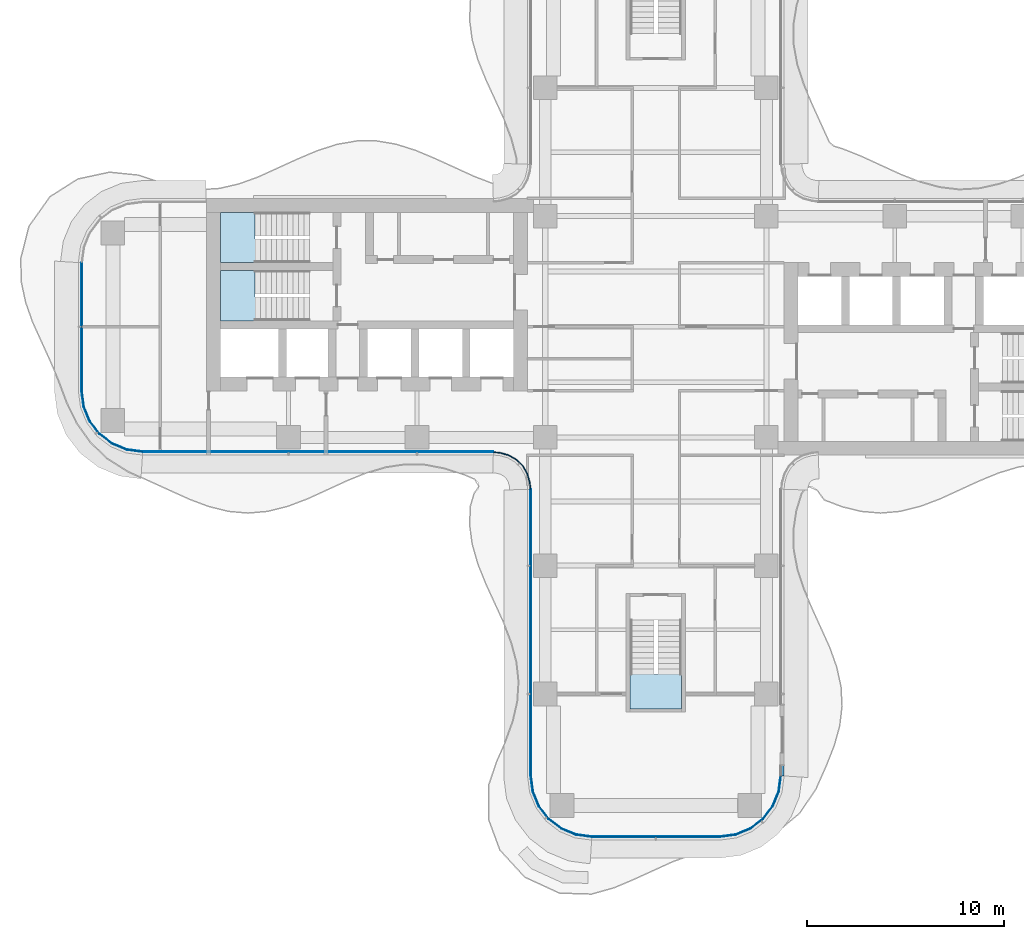
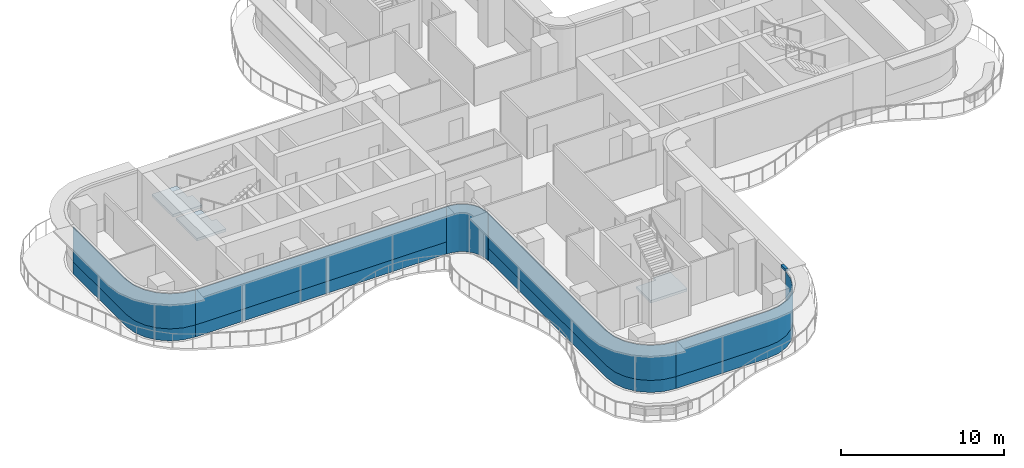
# One storey, part 10 of 19: 9 plates, 3 slabs, 1 member, 9 elements without a shape of their own.
"""IFC4 building model written with IfcOpenShell, lengths in metres."""

from ifc_helpers import new_model, si_unit, direction, frame, origin, place, context, subcontext, project, spatial, polyline, outline, extrude, source, transform, mapped, material, layer, layer_set, type_object, element, aggregate, save


model = new_model("IFC4")

# Units and contexts
model_context = context("Model", 3, precision=1e-05, world=origin(), true_north=direction((0.0, 1.0)))
body_context = subcontext(model_context, "Body", "Model", "MODEL_VIEW")
ifc_project = project(units=[si_unit("LENGTHUNIT", "METRE"), si_unit("AREAUNIT", "SQUARE_METRE"), si_unit("VOLUMEUNIT", "CUBIC_METRE"), si_unit("PLANEANGLEUNIT", "RADIAN"), si_unit("MASSUNIT", "GRAM", prefix="KILO")], contexts=[model_context])

# Site, building, storey
site_placement = place(None, origin())
site = spatial("IfcSite", under=ifc_project, at=site_placement, CompositionType="ELEMENT")
building_placement = place(site_placement, origin())
building = spatial("IfcBuilding", under=site, at=building_placement, Name="Trellis Farm Tower", CompositionType="ELEMENT")
storey_placement = place(building_placement, frame((0.0, 0.0, 197.10009765625)))
storey = spatial("IfcBuildingStorey", under=building, at=storey_placement, Name="L43", CompositionType="ELEMENT", Elevation=197.10009765625)

# Curtain wall, member
ifc_material_1 = material(Name="Aluminium and glass curtain wall", Category="aluminium")
ifc_layer_1 = layer(ifc_material_1, 0.18994140625)
ifc_layer_set_1 = layer_set([ifc_layer_1], Name="RIBBON CURTAIN WALL CW1")
curtain_wall_type_1 = type_object("IfcCurtainWallType", Name="RIBBON CURTAIN WALL CW1", PredefinedType="NOTDEFINED", material=ifc_layer_set_1)
placement_1 = place(storey_placement, origin())
curtain_wall_1 = element("IfcCurtainWall", 1, at=placement_1, inside=storey, type_object=curtain_wall_type_1, Name="CW1 004", PredefinedType="NOTDEFINED")
ifc_material_2 = material(Name="Aluminium extrusion 6063-T6", Category="aluminium")
ifc_layer_2 = layer(ifc_material_2, 0.199951171875)
ifc_layer_set_2 = layer_set([ifc_layer_2], Name="Aluminium extrusion 6063-T6")
member_type = type_object("IfcMemberType", Name="CW1 TRANSOM 200x180", PredefinedType="USERDEFINED", material=ifc_layer_set_2)
shared_shape_1 = source(origin(), body_context, "Body", "SweptSolid", [
    extrude(outline(polyline([(6.5, -22.75), (6.5, -22.175048828125), (6.300048828125, -22.175048828125), (6.300048828125, -22.73681640625), (6.5, -22.75)])), origin(), (0.0, 0.0, 1.0), 0.179931640625),
])
member_placement = place(storey_placement, frame((0.0, 0.0, 3.52001953125)))
member = element("IfcMember", 2, at=member_placement, type_object=member_type, Name="TR1 004", ObjectType="TRANSOM", PredefinedType="USERDEFINED", context=body_context, shape_type="MappedRepresentation", body=[
    mapped(shared_shape_1, transform((0.0, 0.0, 0.0))),
])
aggregate(curtain_wall_1, [member])

# Stair, slab
ifc_material_3 = material(Name="Concrete C50/60", Category="concrete")
stair_type = type_object("IfcStairType", Name="CORE EXIT STAIR 22 RISERS 177 MM", PredefinedType="HALF_TURN_STAIR", material=ifc_material_3)
stair_1 = element("IfcStair", 3, at=placement_1, inside=storey, type_object=stair_type, Name="Exit stair S", PredefinedType="HALF_TURN_STAIR")
ifc_layer_3 = layer(ifc_material_3, 0.18994140625)
ifc_layer_set_3 = layer_set([ifc_layer_3], Name="CORE STAIR LANDING 190 CONCRETE C50/60")
slab_type = type_object("IfcSlabType", Name="CORE STAIR LANDING 190 CONCRETE C50/60", PredefinedType="LANDING", material=ifc_layer_set_3)
shared_shape_2 = source(origin(), body_context, "Body", "SweptSolid", [
    extrude(outline(polyline([(1.300048828125, -19.35009765625), (-1.300048828125, -19.35009765625), (-1.300048828125, -17.60009765625), (-1.300048828125, -17.590087890625), (-0.10009765625, -17.590087890625), (-0.10009765625, -17.60009765625), (0.10009765625, -17.60009765625), (0.10009765625, -17.27197265625), (1.300048828125, -17.27197265625), (1.300048828125, -17.60009765625), (1.300048828125, -19.35009765625)])), origin(), (0.0, 0.0, 1.0), 0.18994140625),
])
placement_2 = place(storey_placement, frame((0.0, 0.0, 1.760009765625)))
slab_1 = element("IfcSlab", 4, at=placement_2, type_object=slab_type, Name="STS landing 1", PredefinedType="LANDING", context=body_context, shape_type="MappedRepresentation", body=[
    mapped(shared_shape_2, transform((0.0, 0.0, 0.0))),
])
aggregate(stair_1, [slab_1])

stair_2 = element("IfcStair", 5, at=placement_1, inside=storey, type_object=stair_type, Name="Exit stair W1", PredefinedType="HALF_TURN_STAIR")
shared_shape_3 = source(origin(), body_context, "Body", "SweptSolid", [
    extrude(outline(polyline([(-19.971923828125, 4.449951171875), (-19.971923828125, 3.25), (-20.300048828125, 3.25), (-22.050048828125, 3.25), (-22.050048828125, 5.800048828125), (-20.300048828125, 5.800048828125), (-20.2900390625, 5.800048828125), (-20.2900390625, 4.60009765625), (-20.300048828125, 4.60009765625), (-20.300048828125, 4.449951171875), (-19.971923828125, 4.449951171875)])), origin(), (0.0, 0.0, 1.0), 0.18994140625),
])
slab_2 = element("IfcSlab", 6, at=placement_2, type_object=slab_type, Name="STW1 landing 1", PredefinedType="LANDING", context=body_context, shape_type="MappedRepresentation", body=[
    mapped(shared_shape_3, transform((0.0, 0.0, 0.0))),
])
aggregate(stair_2, [slab_2])

stair_3 = element("IfcStair", 7, at=placement_1, inside=storey, type_object=stair_type, Name="Exit stair W2", PredefinedType="HALF_TURN_STAIR")
shared_shape_4 = source(origin(), body_context, "Body", "SweptSolid", [
    extrude(outline(polyline([(-19.971923828125, 1.5), (-19.971923828125, 0.300048828125), (-20.300048828125, 0.300048828125), (-22.050048828125, 0.300048828125), (-22.050048828125, 2.85009765625), (-20.300048828125, 2.85009765625), (-20.2900390625, 2.85009765625), (-20.2900390625, 1.64990234375), (-20.300048828125, 1.64990234375), (-20.300048828125, 1.5), (-19.971923828125, 1.5)])), origin(), (0.0, 0.0, 1.0), 0.18994140625),
])
slab_3 = element("IfcSlab", 8, at=placement_2, type_object=slab_type, Name="STW2 landing 1", PredefinedType="LANDING", context=body_context, shape_type="MappedRepresentation", body=[
    mapped(shared_shape_4, transform((0.0, 0.0, 0.0))),
])
aggregate(stair_3, [slab_3])

# Curtain wall, plate
curtain_wall_2 = element("IfcCurtainWall", 9, at=placement_1, inside=storey, type_object=curtain_wall_type_1, Name="CW1 002", PredefinedType="NOTDEFINED")
ifc_material_4 = material(Name="Sandstone faced insulated panel", Category="masonry")
ifc_layer_4 = layer(ifc_material_4, 0.050048828125)
ifc_layer_set_4 = layer_set([ifc_layer_4], Name="CW1 STONE SPANDREL PANEL 50")
plate_type_1 = type_object("IfcPlateType", Name="CW1 STONE SPANDREL PANEL 50", PredefinedType="CURTAIN_PANEL", material=ifc_layer_set_4)
shared_shape_5 = source(origin(), body_context, "Body", "SweptSolid", [
    extrude(outline(polyline([(-6.35009765625, -8.2265625), (-6.35009765625, -22.740234375), (-6.2431640625, -23.552001953125), (-5.93359375, -24.29931640625), (-5.441162109375, -24.941162109375), (-4.79931640625, -25.43359375), (-4.052001953125, -25.7431640625), (-3.240234375, -25.85009765625), (-3.23681640625, -25.800048828125), (-4.0390625, -25.6943359375), (-4.774169921875, -25.389892578125), (-5.405517578125, -24.905517578125), (-5.889892578125, -24.274169921875), (-6.1943359375, -23.5390625), (-6.300048828125, -22.73681640625), (-6.300048828125, -8.224853515625), (-6.35009765625, -8.2265625)])), origin(), (0.0, 0.0, 1.0), 0.89990234375),
])
plate_1 = element("IfcPlate", 10, at=placement_1, type_object=plate_type_1, Name="PS1 002", PredefinedType="CURTAIN_PANEL", context=body_context, shape_type="MappedRepresentation", body=[
    mapped(shared_shape_5, transform((0.0, 0.0, 0.0))),
])

curtain_wall_3 = element("IfcCurtainWall", 11, at=placement_1, inside=storey, type_object=curtain_wall_type_1, Name="CW1 003", PredefinedType="NOTDEFINED")
shared_shape_6 = source(origin(), body_context, "Body", "SweptSolid", [
    extrude(outline(polyline([(-3.240234375, -25.85009765625), (3.240234375, -25.85009765625), (4.052001953125, -25.7431640625), (4.79931640625, -25.43359375), (5.441162109375, -24.941162109375), (5.93359375, -24.29931640625), (6.2431640625, -23.552001953125), (6.35009765625, -22.740234375), (6.300048828125, -22.73681640625), (6.1943359375, -23.5390625), (5.889892578125, -24.274169921875), (5.405517578125, -24.905517578125), (4.774169921875, -25.389892578125), (4.0390625, -25.6943359375), (3.23681640625, -25.800048828125), (-3.23681640625, -25.800048828125), (-3.240234375, -25.85009765625)])), origin(), (0.0, 0.0, 1.0), 0.89990234375),
])
plate_2 = element("IfcPlate", 12, at=placement_1, type_object=plate_type_1, Name="PS1 003", PredefinedType="CURTAIN_PANEL", context=body_context, shape_type="MappedRepresentation", body=[
    mapped(shared_shape_6, transform((0.0, 0.0, 0.0))),
])

# Curtain wall, plates
curtain_wall_4 = element("IfcCurtainWall", 13, at=placement_1, inside=storey, type_object=curtain_wall_type_1, Name="CW1 001", PredefinedType="NOTDEFINED")
ifc_material_5 = material(Name="Clear insulated glass", Category="glass")
ifc_layer_5 = layer(ifc_material_5, 0.0400390625)
ifc_layer_set_5 = layer_set([ifc_layer_5], Name="CW1 GLASS PANEL 40")
plate_type_2 = type_object("IfcPlateType", Name="CW1 GLASS PANEL 40", PredefinedType="CURTAIN_PANEL", material=ifc_layer_set_5)
shared_shape_7 = source(origin(), body_context, "Body", "SweptSolid", [
    extrude(outline(polyline([(-25.990234375, -6.35009765625), (-8.2265625, -6.35009765625), (-8.22509765625, -6.31005859375), (-25.987548828125, -6.31005859375), (-25.990234375, -6.35009765625)])), origin(), (0.0, 0.0, 1.0), 2.6201171875),
])
placement_3 = place(storey_placement, frame((0.0, 0.0, 0.89990234375)))
plate_3 = element("IfcPlate", 14, at=placement_3, type_object=plate_type_2, Name="PL1 001", PredefinedType="CURTAIN_PANEL", context=body_context, shape_type="MappedRepresentation", body=[
    mapped(shared_shape_7, transform((0.0, 0.0, 0.0))),
])
shared_shape_8 = source(origin(), body_context, "Body", "SweptSolid", [
    extrude(outline(polyline([(-25.990234375, -6.35009765625), (-8.2265625, -6.35009765625), (-8.224853515625, -6.300048828125), (-25.98681640625, -6.300048828125), (-25.990234375, -6.35009765625)])), origin(), (0.0, 0.0, 1.0), 0.89990234375),
])
plate_4 = element("IfcPlate", 15, at=placement_1, type_object=plate_type_1, Name="PS1 001", PredefinedType="CURTAIN_PANEL", context=body_context, shape_type="MappedRepresentation", body=[
    mapped(shared_shape_8, transform((0.0, 0.0, 0.0))),
])
aggregate(curtain_wall_4, [plate_3, plate_4])

# Plate
shared_shape_9 = source(origin(), body_context, "Body", "SweptSolid", [
    extrude(outline(polyline([(-6.35009765625, -8.2265625), (-6.35009765625, -22.740234375), (-6.2431640625, -23.552001953125), (-5.93359375, -24.29931640625), (-5.441162109375, -24.941162109375), (-4.79931640625, -25.43359375), (-4.052001953125, -25.7431640625), (-3.240234375, -25.85009765625), (-3.237548828125, -25.81005859375), (-4.04150390625, -25.7041015625), (-4.779296875, -25.398681640625), (-5.41259765625, -24.91259765625), (-5.898681640625, -24.279296875), (-6.2041015625, -23.54150390625), (-6.31005859375, -22.737548828125), (-6.31005859375, -8.22509765625), (-6.35009765625, -8.2265625)])), origin(), (0.0, 0.0, 1.0), 2.6201171875),
])
plate_5 = element("IfcPlate", 16, at=placement_3, type_object=plate_type_2, Name="PL1 002", PredefinedType="CURTAIN_PANEL", context=body_context, shape_type="MappedRepresentation", body=[
    mapped(shared_shape_9, transform((0.0, 0.0, 0.0))),
])

aggregate(curtain_wall_2, [plate_5, plate_1])

shared_shape_10 = source(origin(), body_context, "Body", "SweptSolid", [
    extrude(outline(polyline([(-3.240234375, -25.85009765625), (3.240234375, -25.85009765625), (4.052001953125, -25.7431640625), (4.79931640625, -25.43359375), (5.441162109375, -24.941162109375), (5.93359375, -24.29931640625), (6.2431640625, -23.552001953125), (6.35009765625, -22.740234375), (6.31005859375, -22.737548828125), (6.2041015625, -23.54150390625), (5.898681640625, -24.279296875), (5.41259765625, -24.91259765625), (4.779296875, -25.398681640625), (4.04150390625, -25.7041015625), (3.237548828125, -25.81005859375), (-3.237548828125, -25.81005859375), (-3.240234375, -25.85009765625)])), origin(), (0.0, 0.0, 1.0), 2.6201171875),
])
plate_6 = element("IfcPlate", 17, at=placement_3, type_object=plate_type_2, Name="PL1 003", PredefinedType="CURTAIN_PANEL", context=body_context, shape_type="MappedRepresentation", body=[
    mapped(shared_shape_10, transform((0.0, 0.0, 0.0))),
])

aggregate(curtain_wall_3, [plate_6, plate_2])

# Curtain wall, plates
curtain_wall_5 = element("IfcCurtainWall", 18, at=placement_1, inside=storey, type_object=curtain_wall_type_1, Name="CW1 013", PredefinedType="NOTDEFINED")
shared_shape_11 = source(origin(), body_context, "Body", "SweptSolid", [
    extrude(outline(polyline([(-29.10009765625, 3.240234375), (-29.10009765625, -3.240234375), (-28.9931640625, -4.052001953125), (-28.68359375, -4.79931640625), (-28.191162109375, -5.441162109375), (-27.54931640625, -5.93359375), (-26.802001953125, -6.2431640625), (-25.990234375, -6.35009765625), (-25.987548828125, -6.31005859375), (-26.79150390625, -6.2041015625), (-27.529296875, -5.898681640625), (-28.16259765625, -5.41259765625), (-28.648681640625, -4.779296875), (-28.9541015625, -4.04150390625), (-29.06005859375, -3.237548828125), (-29.06005859375, 3.237548828125), (-29.10009765625, 3.240234375)])), origin(), (0.0, 0.0, 1.0), 2.6201171875),
])
plate_7 = element("IfcPlate", 19, at=placement_3, type_object=plate_type_2, Name="PL1 013", PredefinedType="CURTAIN_PANEL", context=body_context, shape_type="MappedRepresentation", body=[
    mapped(shared_shape_11, transform((0.0, 0.0, 0.0))),
])
shared_shape_12 = source(origin(), body_context, "Body", "SweptSolid", [
    extrude(outline(polyline([(-29.10009765625, 3.240234375), (-29.10009765625, -3.240234375), (-28.9931640625, -4.052001953125), (-28.68359375, -4.79931640625), (-28.191162109375, -5.441162109375), (-27.54931640625, -5.93359375), (-26.802001953125, -6.2431640625), (-25.990234375, -6.35009765625), (-25.98681640625, -6.300048828125), (-26.7890625, -6.1943359375), (-27.524169921875, -5.889892578125), (-28.155517578125, -5.405517578125), (-28.639892578125, -4.774169921875), (-28.9443359375, -4.0390625), (-29.050048828125, -3.23681640625), (-29.050048828125, 3.23681640625), (-29.10009765625, 3.240234375)])), origin(), (0.0, 0.0, 1.0), 0.89990234375),
])
plate_8 = element("IfcPlate", 20, at=placement_1, type_object=plate_type_1, Name="PS1 013", PredefinedType="CURTAIN_PANEL", context=body_context, shape_type="MappedRepresentation", body=[
    mapped(shared_shape_12, transform((0.0, 0.0, 0.0))),
])
aggregate(curtain_wall_5, [plate_7, plate_8])

# Curtain wall, plate
ifc_layer_6 = layer(ifc_material_1, 0.166015625)
ifc_layer_set_6 = layer_set([ifc_layer_6], Name="WINTER GARDEN CURTAIN WALL CW3")
curtain_wall_type_2 = type_object("IfcCurtainWallType", Name="WINTER GARDEN CURTAIN WALL CW3", PredefinedType="NOTDEFINED", material=ifc_layer_set_6)
curtain_wall_6 = element("IfcCurtainWall", 21, at=placement_1, inside=storey, type_object=curtain_wall_type_2, Name="CW3 001", PredefinedType="NOTDEFINED")
ifc_layer_7 = layer(ifc_material_5, 0.0458984375)
ifc_layer_set_7 = layer_set([ifc_layer_7], Name="CW3 GLASS PANEL 46")
plate_type_3 = type_object("IfcPlateType", Name="CW3 GLASS PANEL 46", PredefinedType="CURTAIN_PANEL", material=ifc_layer_set_7)
shared_shape_13 = source(origin(), body_context, "Body", "SweptSolid", [
    extrude(outline(polyline([(-8.2275390625, -6.3798828125), (-8.0078125, -6.394287109375), (-7.89208984375, -6.40966796875), (-7.462158203125, -6.52490234375), (-7.070556640625, -6.7509765625), (-6.7509765625, -7.070556640625), (-6.52490234375, -7.462158203125), (-6.40966796875, -7.89208984375), (-6.394287109375, -8.0078125), (-6.3798828125, -8.2275390625), (-6.333984375, -8.22607421875), (-6.3486328125, -8.003173828125), (-6.364501953125, -7.883056640625), (-6.48193359375, -7.4443359375), (-6.714111328125, -7.04248046875), (-7.04248046875, -6.714111328125), (-7.4443359375, -6.48193359375), (-7.883056640625, -6.364501953125), (-8.003173828125, -6.3486328125), (-8.22607421875, -6.333984375), (-8.2275390625, -6.3798828125)])), origin(), (0.0, 0.0, 1.0), 3.5498046875),
])
plate_9 = element("IfcPlate", 22, at=placement_1, type_object=plate_type_3, Name="PL3 001", PredefinedType="CURTAIN_PANEL", context=body_context, shape_type="MappedRepresentation", body=[
    mapped(shared_shape_13, transform((0.0, 0.0, 0.0))),
])
aggregate(curtain_wall_6, [plate_9])

save(model, "model.ifc")
